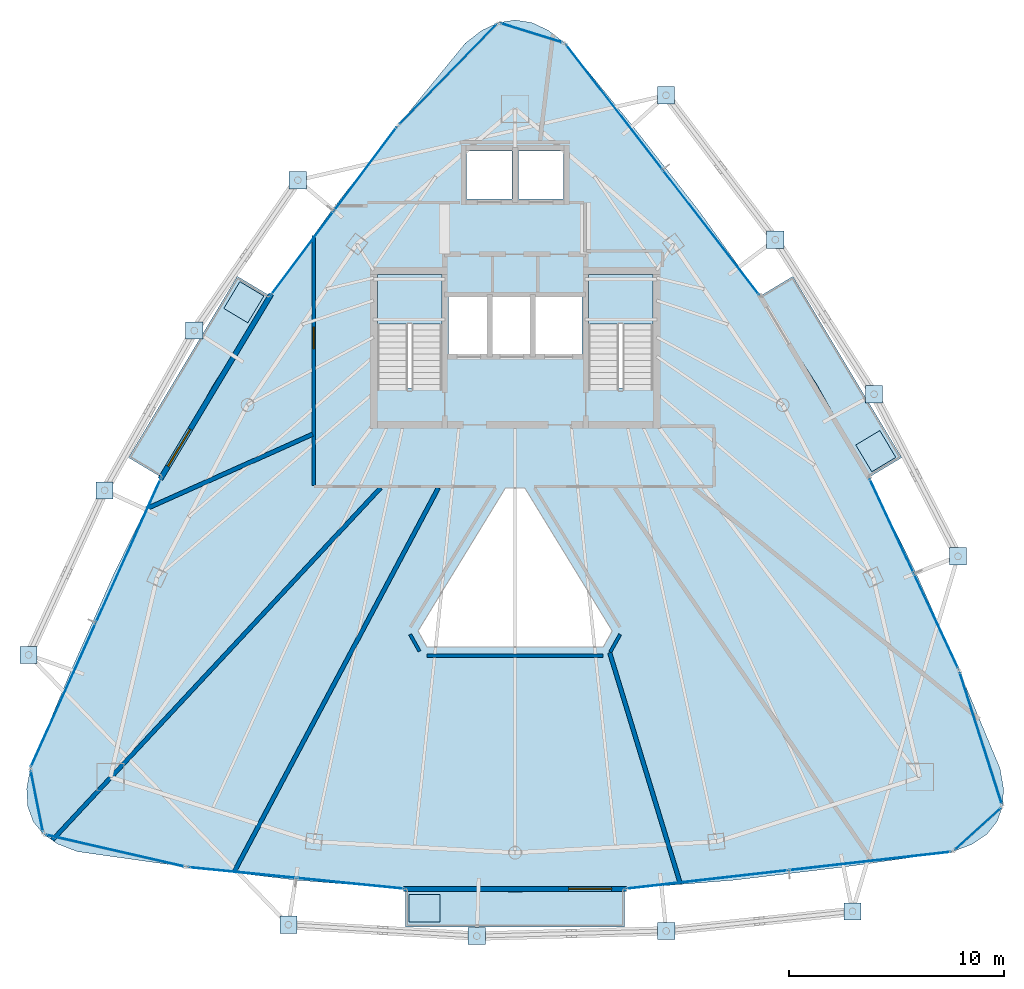
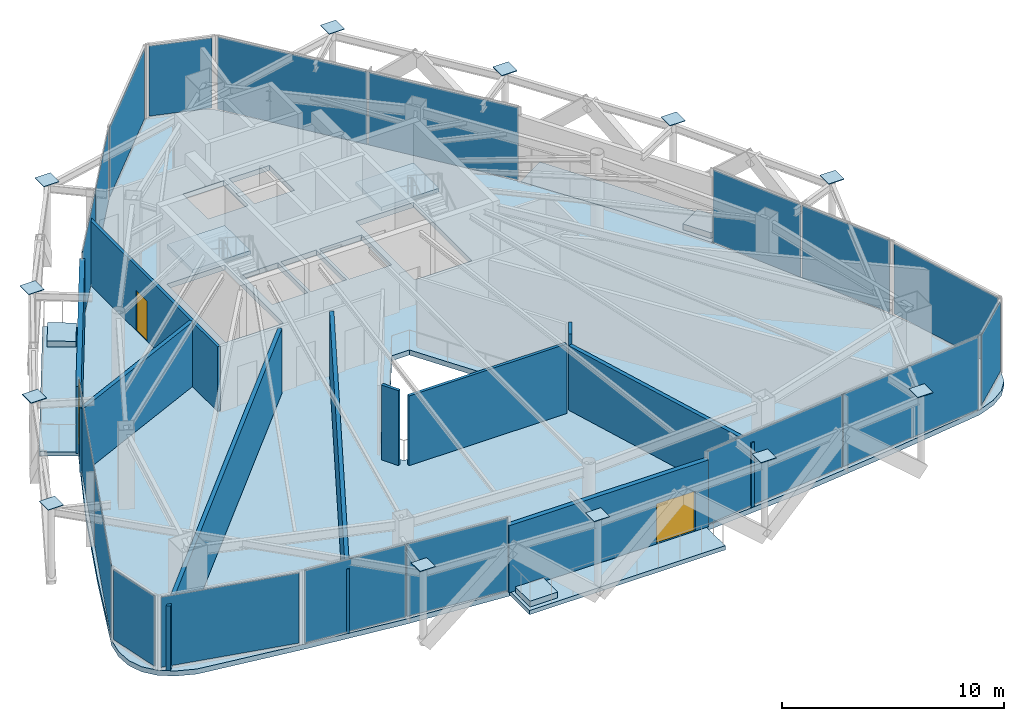
# One storey, part 20 of 25: 30 plates, 10 walls, 9 slabs, 3 doors, 3 openings, 14 elements without a shape of their own.
"""IFC4 building model written with IfcOpenShell, lengths in metres."""

from ifc_helpers import new_model, si_unit, direction, frame, frame_2d, origin, origin_2d, place, context, subcontext, project, spatial, polyline, rectangle, outline, extrude, material, layer, layer_set, type_object, element, fill, aggregate, save


model = new_model("IFC4")

# Units and contexts
model_context = context("Model", 3, precision=1e-05, world=origin(), true_north=direction((0.0, 1.0)))
body_context = subcontext(model_context, "Body", "Model", "MODEL_VIEW")
ifc_project = project(units=[si_unit("LENGTHUNIT", "METRE"), si_unit("AREAUNIT", "SQUARE_METRE"), si_unit("VOLUMEUNIT", "CUBIC_METRE"), si_unit("PLANEANGLEUNIT", "RADIAN"), si_unit("MASSUNIT", "GRAM", prefix="KILO")], contexts=[model_context])

# Site, building, storey
site_placement = place(None, origin())
site = spatial("IfcSite", under=ifc_project, at=site_placement, CompositionType="ELEMENT")
building_placement = place(site_placement, origin())
building = spatial("IfcBuilding", under=site, at=building_placement, Name="Orvanel Arch Residences", CompositionType="ELEMENT")
storey_placement = place(building_placement, frame((0.0, 0.0, 236.0)))
storey = spatial("IfcBuildingStorey", under=building, at=storey_placement, Name="L67", CompositionType="ELEMENT", Elevation=236.0)

# Plates
ifc_material_1 = material(Name="Structural steel AS/NZS 3678 Grade 350", Category="steel")
ifc_layer_1 = layer(ifc_material_1, 0.031982421875)
ifc_layer_set_1 = layer_set([ifc_layer_1], Name="Structural steel AS/NZS 3678 Grade 350")
plate_type_1 = type_object("IfcPlateType", Name="PL-CAP-32", PredefinedType="SHEET", material=ifc_layer_set_1)
for number, where, z_axis, x_axis, name in (
    (1, (22.906982421875, 38.0859375, 4.333984375), (0.0, 0.0, 1.0), (1.0, 0.0, 0.0), "L67 hollow member end cap plate"),
    (2, (18.09912109375, 31.09912109375, 4.333984375), (0.0, 0.0, 1.0), (1.0, 0.0, 0.0), "L67 hollow member end cap plate"),
    (3, (13.927978515625, 23.675048828125, 4.333984375), (0.0, 0.0, 1.0), (1.0, 0.0, 0.0), "L67 hollow member end cap plate"),
    (4, (10.39990234375, 16.032958984375, 4.333984375), (0.0, 0.0, 1.0), (1.0, 0.0, 0.0), "L67 hollow member end cap plate"),
    (5, (22.469970703125, 3.498046875, 4.333984375), (0.0, 0.0, 1.0), (1.0, 0.0, 0.0), "L67 hollow member end cap plate"),
    (6, (31.219970703125, 2.969970703125, 4.333984375), (0.0, 0.0, 1.0), (1.0, 0.0, 0.0), "L67 hollow member end cap plate"),
    (7, (40.014892578125, 3.2109375, 4.333984375), (0.0, 0.0, 1.0), (1.0, 0.0, 0.0), "L67 hollow member end cap plate"),
    (8, (48.6708984375, 4.115966796875, 4.333984375), (0.0, 0.0, 1.0), (1.0, 0.0, 0.0), "L67 hollow member end cap plate"),
    (9, (53.573974609375, 20.612060546875, 4.333984375), (0.0, 0.0, 1.0), (1.0, 0.0, 0.0), "L67 hollow member end cap plate"),
    (10, (49.674072265625, 28.14404296875, 4.333984375), (0.0, 0.0, 1.0), (1.0, 0.0, 0.0), "L67 hollow member end cap plate"),
    (11, (45.0869140625, 35.319091796875, 4.333984375), (0.0, 0.0, 1.0), (1.0, 0.0, 0.0), "L67 hollow member end cap plate"),
    (12, (40.007080078125, 42.029052734375, 4.333984375), (0.0, 0.0, 1.0), (1.0, 0.0, 0.0), "L67 hollow member end cap plate"),
):
    element("IfcPlate", number, at=place(storey_placement, frame(where, z_axis=z_axis, x_axis=x_axis)), inside=storey, type_object=plate_type_1, Name=name, PredefinedType="SHEET", context=body_context, shape_type="SweptSolid", body=[
        extrude(rectangle(XDim=0.800048828125, YDim=0.800048828125, at=origin_2d()), origin(), (0.0, 0.0, 1.0), 0.031982421875),
    ])

# Curtain wall, plate
ifc_material_2 = material(Name="Bronze-anodised aluminium AA6063-T6", Category="aluminium")
ifc_layer_2 = layer(ifc_material_2, 0.18994140625)
ifc_layer_set_2 = layer_set([ifc_layer_2], Name="Bronze-anodised aluminium AA6063-T6")
curtain_wall_type_1 = type_object("IfcCurtainWallType", Name="CW5-CRN-SYS", PredefinedType="NOTDEFINED", material=ifc_layer_set_2)
curtain_wall_1_placement = place(storey_placement, origin())
curtain_wall_1 = element("IfcCurtainWall", 13, at=curtain_wall_1_placement, inside=storey, type_object=curtain_wall_type_1, Name="L67 CW5-CRN-SYS Unitised Curtain Wall", PredefinedType="NOTDEFINED")
ifc_material_3 = material(Name="Double-glazed solar-control low-E safety glass", Category="glass")
ifc_layer_3 = layer(ifc_material_3, 0.031982421875)
ifc_layer_set_3 = layer_set([ifc_layer_3], Name="Double-glazed solar-control low-E safety glass")
plate_type_2 = type_object("IfcPlateType", Name="PNL-GLZ-32", PredefinedType="CURTAIN_PANEL", material=ifc_layer_set_3)
plate_1_placement = place(storey_placement, frame((33.7734375, 44.924560546875, 0.1298828125), z_axis=(0.0, 0.0, 1.0), x_axis=(-0.954862682861, 0.297047566696, 0.0)))
plate_1 = element("IfcPlate", 14, at=plate_1_placement, type_object=plate_type_2, Name="CW-S5 panel 1.1", PredefinedType="CURTAIN_PANEL", context=body_context, shape_type="SweptSolid", body=[
    extrude(rectangle(XDim=2.901611328125, YDim=0.031982421875, at=origin_2d()), origin(), (0.0, 0.0, 1.0), 3.85009765625),
])
aggregate(curtain_wall_1, [plate_1])

curtain_wall_2_placement = place(storey_placement, origin())
curtain_wall_2 = element("IfcCurtainWall", 15, at=curtain_wall_2_placement, inside=storey, type_object=curtain_wall_type_1, Name="L67 CW5-CRN-SYS Unitised Curtain Wall", PredefinedType="NOTDEFINED")
plate_2_placement = place(storey_placement, frame((29.882568359375, 43.00390625, 0.1298828125), z_axis=(0.0, 0.0, 1.0), x_axis=(-0.698284519873, -0.715820319149, 0.0)))
plate_2 = element("IfcPlate", 16, at=plate_2_placement, type_object=plate_type_2, Name="CW-S5 panel 1.1", PredefinedType="CURTAIN_PANEL", context=body_context, shape_type="SweptSolid", body=[
    extrude(rectangle(XDim=6.3720703125, YDim=0.031982421875, at=origin_2d()), origin(), (0.0, 0.0, 1.0), 3.85009765625),
])
aggregate(curtain_wall_2, [plate_2])

curtain_wall_3_placement = place(storey_placement, origin())
curtain_wall_3 = element("IfcCurtainWall", 17, at=curtain_wall_3_placement, inside=storey, type_object=curtain_wall_type_1, Name="L67 CW5-CRN-SYS Unitised Curtain Wall", PredefinedType="NOTDEFINED")
plate_3_placement = place(storey_placement, frame((10.781494140625, 9.232421875, 0.1298828125), z_axis=(0.0, 0.0, 1.0), x_axis=(0.195741567514, -0.98065551482, 0.0)))
plate_3 = element("IfcPlate", 18, at=plate_3_placement, type_object=plate_type_2, Name="CW-S5 panel 1.1", PredefinedType="CURTAIN_PANEL", context=body_context, shape_type="SweptSolid", body=[
    extrude(rectangle(XDim=2.780517578125, YDim=0.031982421875, at=origin_2d()), origin(), (0.0, 0.0, 1.0), 3.85009765625),
])
aggregate(curtain_wall_3, [plate_3])

curtain_wall_4_placement = place(storey_placement, origin())
curtain_wall_4 = element("IfcCurtainWall", 19, at=curtain_wall_4_placement, inside=storey, type_object=curtain_wall_type_1, Name="L67 CW5-CRN-SYS Unitised Curtain Wall", PredefinedType="NOTDEFINED")
plate_4_placement = place(storey_placement, frame((14.4189453125, 6.939453125, 0.1298828125), z_axis=(0.0, 0.0, 1.0), x_axis=(0.97477900978, -0.223172314797, 0.0)))
plate_4 = element("IfcPlate", 20, at=plate_4_placement, type_object=plate_type_2, Name="CW-S5 panel 1.1", PredefinedType="CURTAIN_PANEL", context=body_context, shape_type="SweptSolid", body=[
    extrude(rectangle(XDim=6.49755859375, YDim=0.031982421875, at=origin_2d()), origin(), (0.0, 0.0, 1.0), 3.85009765625),
])
aggregate(curtain_wall_4, [plate_4])

curtain_wall_5_placement = place(storey_placement, origin())
curtain_wall_5 = element("IfcCurtainWall", 21, at=curtain_wall_5_placement, inside=storey, type_object=curtain_wall_type_1, Name="L67 CW5-CRN-SYS Unitised Curtain Wall", PredefinedType="NOTDEFINED")
plate_5_placement = place(storey_placement, frame((54.488525390625, 7.943115234375, 0.1298828125), z_axis=(0.0, 0.0, 1.0), x_axis=(0.740204322001, 0.672382005775, 0.0)))
plate_5 = element("IfcPlate", 22, at=plate_5_placement, type_object=plate_type_2, Name="CW-S5 panel 1.1", PredefinedType="CURTAIN_PANEL", context=body_context, shape_type="SweptSolid", body=[
    extrude(rectangle(XDim=2.781494140625, YDim=0.031982421875, at=origin_2d()), origin(), (0.0, 0.0, 1.0), 3.85009765625),
])
aggregate(curtain_wall_5, [plate_5])

curtain_wall_6_placement = place(storey_placement, origin())
curtain_wall_6 = element("IfcCurtainWall", 23, at=curtain_wall_6_placement, inside=storey, type_object=curtain_wall_type_1, Name="L67 CW5-CRN-SYS Unitised Curtain Wall", PredefinedType="NOTDEFINED")
plate_6_placement = place(storey_placement, frame((54.62841796875, 12.1669921875, 0.1298828125), z_axis=(0.0, 0.0, 1.0), x_axis=(-0.304660745422, 0.952460933687, 0.0)))
plate_6 = element("IfcPlate", 24, at=plate_6_placement, type_object=plate_type_2, Name="CW-S5 panel 1.1", PredefinedType="CURTAIN_PANEL", context=body_context, shape_type="SweptSolid", body=[
    extrude(rectangle(XDim=6.3271484375, YDim=0.031982421875, at=origin_2d()), origin(), (0.0, 0.0, 1.0), 3.85009765625),
])
aggregate(curtain_wall_6, [plate_6])

# Curtain wall, plates
ifc_layer_4 = layer(ifc_material_2, 0.195068359375)
ifc_layer_set_4 = layer_set([ifc_layer_4], Name="Bronze-anodised aluminium AA6063-T6")
curtain_wall_type_2 = type_object("IfcCurtainWallType", Name="CW6-COM-SYS", PredefinedType="NOTDEFINED", material=ifc_layer_set_4)
curtain_wall_7_placement = place(storey_placement, origin())
curtain_wall_7 = element("IfcCurtainWall", 25, at=curtain_wall_7_placement, inside=storey, type_object=curtain_wall_type_2, Name="L67 CW6-COM-SYS Unitised Curtain Wall", PredefinedType="NOTDEFINED")
plate_7_placement = place(storey_placement, frame((26.041748046875, 38.604248046875, 0.06494140625), z_axis=(0.0, 0.0, 1.0), x_axis=(-0.599723293947, -0.800207454787, 0.0)))
plate_7 = element("IfcPlate", 26, at=plate_7_placement, type_object=plate_type_2, Name="CW-S6 panel 1.1", PredefinedType="CURTAIN_PANEL", context=body_context, shape_type="SweptSolid", body=[
    extrude(rectangle(XDim=4.802978515625, YDim=0.031982421875, at=origin_2d()), origin(), (0.0, 0.0, 1.0), 3.97998046875),
])
plate_8_placement = place(storey_placement, frame((23.1162109375, 34.70068359375, 0.06494140625), z_axis=(0.0, 0.0, 1.0), x_axis=(-0.599723293947, -0.800207454787, 0.0)))
plate_8 = element("IfcPlate", 27, at=plate_8_placement, type_object=plate_type_2, Name="CW-S6 panel 2.1", PredefinedType="CURTAIN_PANEL", context=body_context, shape_type="SweptSolid", body=[
    extrude(rectangle(XDim=4.802978515625, YDim=0.031982421875, at=origin_2d()), origin(), (0.0, 0.0, 1.0), 3.97998046875),
])
aggregate(curtain_wall_7, [plate_7, plate_8])

curtain_wall_8_placement = place(storey_placement, origin())
curtain_wall_8 = element("IfcCurtainWall", 28, at=curtain_wall_8_placement, inside=storey, type_object=curtain_wall_type_2, Name="L67 CW6-COM-SYS Unitised Curtain Wall", PredefinedType="NOTDEFINED")
plate_9_placement = place(storey_placement, frame((15.033935546875, 20.876953125, 0.06494140625), z_axis=(0.0, 0.0, 1.0), x_axis=(-0.410881897052, -0.911688579875, 0.0)))
plate_9 = element("IfcPlate", 29, at=plate_9_placement, type_object=plate_type_2, Name="CW-S6 panel 1.1", PredefinedType="CURTAIN_PANEL", context=body_context, shape_type="SweptSolid", body=[
    extrude(rectangle(XDim=7.282470703125, YDim=0.031982421875, at=origin_2d()), origin(), (0.0, 0.0, 1.0), 3.97998046875),
])
plate_10_placement = place(storey_placement, frame((12.010986328125, 14.169189453125, 0.06494140625), z_axis=(0.0, 0.0, 1.0), x_axis=(-0.410881897052, -0.911688579875, 0.0)))
plate_10 = element("IfcPlate", 30, at=plate_10_placement, type_object=plate_type_2, Name="CW-S6 panel 2.1", PredefinedType="CURTAIN_PANEL", context=body_context, shape_type="SweptSolid", body=[
    extrude(rectangle(XDim=7.282470703125, YDim=0.031982421875, at=origin_2d()), origin(), (0.0, 0.0, 1.0), 3.97998046875),
])
aggregate(curtain_wall_8, [plate_9, plate_10])

curtain_wall_9_placement = place(storey_placement, origin())
curtain_wall_9 = element("IfcCurtainWall", 31, at=curtain_wall_9_placement, inside=storey, type_object=curtain_wall_type_2, Name="L67 CW6-COM-SYS Unitised Curtain Wall", PredefinedType="NOTDEFINED")
plate_11_placement = place(storey_placement, frame((20.321044921875, 5.9208984375, 0.06494140625), z_axis=(0.0, 0.0, 1.0), x_axis=(0.995072155144, -0.099153447023, 0.0)))
plate_11 = element("IfcPlate", 32, at=plate_11_placement, type_object=plate_type_2, Name="CW-S6 panel 1.1", PredefinedType="CURTAIN_PANEL", context=body_context, shape_type="SweptSolid", body=[
    extrude(rectangle(XDim=4.9755859375, YDim=0.031982421875, at=origin_2d()), origin(), (0.0, 0.0, 1.0), 3.97998046875),
])
plate_12_placement = place(storey_placement, frame((25.346923828125, 5.420166015625, 0.06494140625), z_axis=(0.0, 0.0, 1.0), x_axis=(0.995072155144, -0.099153447023, 0.0)))
plate_12 = element("IfcPlate", 33, at=plate_12_placement, type_object=plate_type_2, Name="CW-S6 panel 2.1", PredefinedType="CURTAIN_PANEL", context=body_context, shape_type="SweptSolid", body=[
    extrude(rectangle(XDim=4.9755859375, YDim=0.031982421875, at=origin_2d()), origin(), (0.0, 0.0, 1.0), 3.97998046875),
])
aggregate(curtain_wall_9, [plate_11, plate_12])

curtain_wall_10_placement = place(storey_placement, origin())
curtain_wall_10 = element("IfcCurtainWall", 34, at=curtain_wall_10_placement, inside=storey, type_object=curtain_wall_type_2, Name="L67 CW6-COM-SYS Unitised Curtain Wall", PredefinedType="NOTDEFINED")
plate_13_placement = place(storey_placement, frame((41.924072265625, 5.599609375, 0.06494140625), z_axis=(0.0, 0.0, 1.0), x_axis=(0.993622898574, 0.112754314463, 0.0)))
plate_13 = element("IfcPlate", 35, at=plate_13_placement, type_object=plate_type_2, Name="CW-S6 panel 1.1", PredefinedType="CURTAIN_PANEL", context=body_context, shape_type="SweptSolid", body=[
    extrude(rectangle(XDim=7.541259765625, YDim=0.031982421875, at=origin_2d()), origin(), (0.0, 0.0, 1.0), 3.97998046875),
])
plate_14_placement = place(storey_placement, frame((49.491943359375, 6.45849609375, 0.06494140625), z_axis=(0.0, 0.0, 1.0), x_axis=(0.993622898574, 0.112754314463, 0.0)))
plate_14 = element("IfcPlate", 36, at=plate_14_placement, type_object=plate_type_2, Name="CW-S6 panel 2.1", PredefinedType="CURTAIN_PANEL", context=body_context, shape_type="SweptSolid", body=[
    extrude(rectangle(XDim=7.541259765625, YDim=0.031982421875, at=origin_2d()), origin(), (0.0, 0.0, 1.0), 3.97998046875),
])
aggregate(curtain_wall_10, [plate_13, plate_14])

curtain_wall_11_placement = place(storey_placement, origin())
curtain_wall_11 = element("IfcCurtainWall", 37, at=curtain_wall_11_placement, inside=storey, type_object=curtain_wall_type_2, Name="L67 CW6-COM-SYS Unitised Curtain Wall", PredefinedType="NOTDEFINED")
plate_15_placement = place(storey_placement, frame((52.5556640625, 17.603271484375, 0.06494140625), z_axis=(0.0, 0.0, 1.0), x_axis=(-0.423748373633, 0.905779948908, 0.0)))
plate_15 = element("IfcPlate", 38, at=plate_15_placement, type_object=plate_type_2, Name="CW-S6 panel 1.1", PredefinedType="CURTAIN_PANEL", context=body_context, shape_type="SweptSolid", body=[
    extrude(rectangle(XDim=4.80322265625, YDim=0.031982421875, at=origin_2d()), origin(), (0.0, 0.0, 1.0), 3.97998046875),
])
plate_16_placement = place(storey_placement, frame((50.488525390625, 22.021728515625, 0.06494140625), z_axis=(0.0, 0.0, 1.0), x_axis=(-0.423748373633, 0.905779948908, 0.0)))
plate_16 = element("IfcPlate", 39, at=plate_16_placement, type_object=plate_type_2, Name="CW-S6 panel 2.1", PredefinedType="CURTAIN_PANEL", context=body_context, shape_type="SweptSolid", body=[
    extrude(rectangle(XDim=4.80322265625, YDim=0.031982421875, at=origin_2d()), origin(), (0.0, 0.0, 1.0), 3.97998046875),
])
aggregate(curtain_wall_11, [plate_15, plate_16])

curtain_wall_12_placement = place(storey_placement, origin())
curtain_wall_12 = element("IfcCurtainWall", 40, at=curtain_wall_12_placement, inside=storey, type_object=curtain_wall_type_2, Name="L67 CW6-COM-SYS Unitised Curtain Wall", PredefinedType="NOTDEFINED")
plate_17_placement = place(storey_placement, frame((42.0986328125, 35.660888671875, 0.06494140625), z_axis=(0.0, 0.0, 1.0), x_axis=(-0.610977842981, 0.791647696508, 0.0)))
plate_17 = element("IfcPlate", 41, at=plate_17_placement, type_object=plate_type_2, Name="CW-S6 panel 1.1", PredefinedType="CURTAIN_PANEL", context=body_context, shape_type="SweptSolid", body=[
    extrude(rectangle(XDim=7.2822265625, YDim=0.031982421875, at=origin_2d()), origin(), (0.0, 0.0, 1.0), 3.97998046875),
])
plate_18_placement = place(storey_placement, frame((37.603515625, 41.485107421875, 0.06494140625), z_axis=(0.0, 0.0, 1.0), x_axis=(-0.610977842981, 0.791647696508, 0.0)))
plate_18 = element("IfcPlate", 42, at=plate_18_placement, type_object=plate_type_2, Name="CW-S6 panel 2.1", PredefinedType="CURTAIN_PANEL", context=body_context, shape_type="SweptSolid", body=[
    extrude(rectangle(XDim=7.2822265625, YDim=0.031982421875, at=origin_2d()), origin(), (0.0, 0.0, 1.0), 3.97998046875),
])
aggregate(curtain_wall_12, [plate_17, plate_18])

# Slabs
ifc_material_4 = material(Name="Concrete N40 (40 MPa)", Category="concrete")
ifc_layer_5 = layer(ifc_material_4, 0.22998046875)
ifc_layer_set_5 = layer_set([ifc_layer_5], Name="Concrete N40 (40 MPa)")
slab_type_1 = type_object("IfcSlabType", Name="SLB-BAL-230", PredefinedType="FLOOR", material=ifc_layer_set_5)
slab_1_placement = place(storey_placement, frame((0.0, 0.0, -0.22998046875)))
element("IfcSlab", 43, at=slab_1_placement, inside=storey, type_object=slab_type_1, Name="L67 Cantilevered Balcony Slab Face 1", PredefinedType="FLOOR", context=body_context, shape_type="SweptSolid", body=[
    extrude(outline(polyline([(20.093017578125, 33.618896484375), (15.0419921875, 25.198974609375), (16.569091796875, 24.282958984375), (18.971923828125, 28.56689453125), (21.618896484375, 32.702880859375), (20.093017578125, 33.618896484375)])), origin(), (0.0, 0.0, 1.0), 0.22998046875),
])
slab_2_placement = place(storey_placement, frame((0.0, 0.0, -0.22998046875)))
element("IfcSlab", 44, at=slab_2_placement, inside=storey, type_object=slab_type_1, Name="L67 Cantilevered Balcony Slab Face 2", PredefinedType="FLOOR", context=body_context, shape_type="SweptSolid", body=[
    extrude(outline(polyline([(27.9169921875, 3.384033203125), (38.0830078125, 3.384033203125), (38.0830078125, 5.1640625), (33.0, 5.02099609375), (27.9169921875, 5.1640625), (27.9169921875, 3.384033203125)])), origin(), (0.0, 0.0, 1.0), 0.22998046875),
])
slab_3_placement = place(storey_placement, frame((0.0, 0.0, -0.22998046875)))
element("IfcSlab", 45, at=slab_3_placement, inside=storey, type_object=slab_type_1, Name="L67 Cantilevered Balcony Slab Face 3", PredefinedType="FLOOR", context=body_context, shape_type="SweptSolid", body=[
    extrude(outline(polyline([(50.9580078125, 25.198974609375), (45.906982421875, 33.618896484375), (44.381103515625, 32.702880859375), (47.028076171875, 28.56689453125), (49.430908203125, 24.282958984375), (50.9580078125, 25.198974609375)])), origin(), (0.0, 0.0, 1.0), 0.22998046875),
])

# Stair, slab
ifc_material_5 = material(Name="Precast concrete N50 (50 MPa)", Category="concrete")
stair_type = type_object("IfcStairType", Name="STR-DOG-181", PredefinedType="USERDEFINED", material=ifc_material_5)
stair_1_placement = place(storey_placement, origin())
stair_1 = element("IfcStair", 46, at=stair_1_placement, inside=storey, type_object=stair_type, Name="L67 Fire-Isolated Core Exit Stair 1", ObjectType="TWO_RETURN_STAIR", PredefinedType="USERDEFINED")
ifc_layer_6 = layer(ifc_material_4, 0.199951171875)
ifc_layer_set_6 = layer_set([ifc_layer_6], Name="Concrete N40 (40 MPa)")
slab_type_2 = type_object("IfcSlabType", Name="SLB-LND-200", PredefinedType="LANDING", material=ifc_layer_set_6)
slab_4_placement = place(storey_placement, frame((0.0, 0.0, 1.97509765625)))
slab_4 = element("IfcSlab", 47, at=slab_4_placement, type_object=slab_type_2, Name="ST-1 landing 1", PredefinedType="LANDING", context=body_context, shape_type="SweptSolid", body=[
    extrude(outline(polyline([(29.60009765625, 31.39990234375), (29.60009765625, 33.699951171875), (26.60009765625, 33.699951171875), (26.60009765625, 31.39990234375), (29.60009765625, 31.39990234375)])), origin(), (0.0, 0.0, 1.0), 0.199951171875),
])
aggregate(stair_1, [slab_4])

stair_2_placement = place(storey_placement, origin())
stair_2 = element("IfcStair", 48, at=stair_2_placement, inside=storey, type_object=stair_type, Name="L67 Fire-Isolated Core Exit Stair 2", ObjectType="TWO_RETURN_STAIR", PredefinedType="USERDEFINED")
slab_5_placement = place(storey_placement, frame((0.0, 0.0, 1.97509765625)))
slab_5 = element("IfcSlab", 49, at=slab_5_placement, type_object=slab_type_2, Name="ST-2 landing 1", PredefinedType="LANDING", context=body_context, shape_type="SweptSolid", body=[
    extrude(outline(polyline([(39.39990234375, 31.39990234375), (39.39990234375, 33.699951171875), (36.39990234375, 33.699951171875), (36.39990234375, 31.39990234375), (39.39990234375, 31.39990234375)])), origin(), (0.0, 0.0, 1.0), 0.199951171875),
])
aggregate(stair_2, [slab_5])

# Slabs
ifc_material_6 = material(Name="Structural architectural precast concrete N40 (40 MPa) planter", Category="concrete")
ifc_layer_7 = layer(ifc_material_6, 0.320068359375)
ifc_layer_set_7 = layer_set([ifc_layer_7], Name="Structural architectural precast concrete N40 (40 MPa) planter")
slab_type_3 = type_object("IfcSlabType", Name="SLB-PLN-320", PredefinedType="USERDEFINED", material=ifc_layer_set_7)
slab_6_placement = place(storey_placement, origin())
element("IfcSlab", 50, at=slab_6_placement, inside=storey, type_object=slab_type_3, Name="L67 Balcony TREE PLANTER Face 1", ObjectType="PLANTER", PredefinedType="USERDEFINED", context=body_context, shape_type="SweptSolid", body=[
    extrude(outline(polyline([(20.212890625, 33.3720703125), (19.467041015625, 32.1279296875), (20.58203125, 31.4599609375), (21.327880859375, 32.702880859375), (20.212890625, 33.3720703125)])), origin(), (0.0, 0.0, 1.0), 0.320068359375),
])
slab_7_placement = place(storey_placement, origin())
element("IfcSlab", 51, at=slab_7_placement, inside=storey, type_object=slab_type_3, Name="L67 Balcony TREE PLANTER Face 2", ObjectType="PLANTER", PredefinedType="USERDEFINED", context=body_context, shape_type="SweptSolid", body=[
    extrude(outline(polyline([(28.06689453125, 3.614013671875), (29.51708984375, 3.614013671875), (29.51708984375, 4.9140625), (28.06689453125, 4.9140625), (28.06689453125, 3.614013671875)])), origin(), (0.0, 0.0, 1.0), 0.320068359375),
])
slab_8_placement = place(storey_placement, origin())
element("IfcSlab", 52, at=slab_8_placement, inside=storey, type_object=slab_type_3, Name="L67 Balcony TREE PLANTER Face 3", ObjectType="PLANTER", PredefinedType="USERDEFINED", context=body_context, shape_type="SweptSolid", body=[
    extrude(outline(polyline([(50.68408203125, 25.208984375), (49.93798828125, 26.452880859375), (48.822998046875, 25.783935546875), (49.569091796875, 24.5400390625), (50.68408203125, 25.208984375)])), origin(), (0.0, 0.0, 1.0), 0.320068359375),
])
ifc_layer_8 = layer(ifc_material_4, 0.280029296875)
ifc_layer_set_8 = layer_set([ifc_layer_8], Name="Concrete N40 (40 MPa)")
slab_type_4 = type_object("IfcSlabType", Name="SLB-POD-280", PredefinedType="FLOOR", material=ifc_layer_set_8)
slab_9_placement = place(storey_placement, frame((0.0, 0.0, -0.280029296875)))
element("IfcSlab", 53, at=slab_9_placement, inside=storey, type_object=slab_type_4, Name="L67 Tower Floor Slab", PredefinedType="FLOOR", context=body_context, shape_type="SweptSolid", body=[
    extrude(outline(polyline([(35.321044921875, 44.443115234375), (34.547119140625, 45.044921875), (33.77392578125, 45.406005859375), (33.0, 45.52587890625), (32.22607421875, 45.406005859375), (31.452880859375, 45.044921875), (30.678955078125, 44.443115234375), (27.5390625, 40.60205078125), (24.492919921875, 36.7041015625), (21.618896484375, 32.702880859375), (18.971923828125, 28.56689453125), (16.569091796875, 24.282958984375), (14.39111328125, 19.864013671875), (12.386962890625, 15.342041015625), (10.47607421875, 10.762939453125), (10.31005859375, 9.81689453125), (10.35595703125, 8.991943359375), (10.614990234375, 8.287109375), (11.0869140625, 7.701904296875), (11.77099609375, 7.238037109375), (12.66796875, 6.89404296875), (17.7509765625, 6.177001953125), (22.833984375, 5.569091796875), (27.9169921875, 5.1640625), (33.0, 5.02099609375), (38.0830078125, 5.1640625), (43.166015625, 5.569091796875), (48.2490234375, 6.177001953125), (53.3330078125, 6.89404296875), (54.22900390625, 7.238037109375), (54.9130859375, 7.701904296875), (55.385009765625, 8.287109375), (55.64404296875, 8.991943359375), (55.68994140625, 9.81689453125), (55.52392578125, 10.762939453125), (53.613037109375, 15.342041015625), (51.60888671875, 19.864013671875), (49.430908203125, 24.282958984375), (47.028076171875, 28.56689453125), (44.381103515625, 32.702880859375), (41.507080078125, 36.7041015625), (38.4609375, 40.60205078125), (35.321044921875, 44.443115234375)]), holes=[polyline([(26.60009765625, 28.429931640625), (26.60009765625, 33.699951171875), (29.60009765625, 33.699951171875), (29.60009765625, 28.429931640625), (26.60009765625, 28.429931640625)]), polyline([(36.39990234375, 28.429931640625), (36.39990234375, 33.699951171875), (39.39990234375, 33.699951171875), (39.39990234375, 28.429931640625), (36.39990234375, 28.429931640625)]), polyline([(29.89990234375, 32.64990234375), (31.75, 32.64990234375), (31.75, 29.949951171875), (29.89990234375, 29.949951171875), (29.89990234375, 32.64990234375)]), polyline([(31.89990234375, 32.64990234375), (33.75, 32.64990234375), (33.75, 29.949951171875), (31.89990234375, 29.949951171875), (31.89990234375, 32.64990234375)]), polyline([(33.89990234375, 32.64990234375), (36.10009765625, 32.64990234375), (36.10009765625, 29.949951171875), (33.89990234375, 29.949951171875), (33.89990234375, 32.64990234375)]), polyline([(30.75, 39.449951171875), (32.85009765625, 39.449951171875), (32.85009765625, 37.199951171875), (30.75, 37.199951171875), (30.75, 39.449951171875)]), polyline([(33.14990234375, 39.449951171875), (35.25, 39.449951171875), (35.25, 37.199951171875), (33.14990234375, 37.199951171875), (33.14990234375, 39.449951171875)]), polyline([(37.511962890625, 17.14501953125), (37.092041015625, 16.39697265625), (28.907958984375, 16.39697265625), (28.488037109375, 17.14501953125), (32.54296875, 23.777099609375), (33.45703125, 23.777099609375), (37.511962890625, 17.14501953125)])]), origin(), (0.0, 0.0, 1.0), 0.280029296875),
])

# Wall, opening, door
ifc_layer_9 = layer(ifc_material_5, 0.239990234375)
ifc_layer_set_9 = layer_set([ifc_layer_9], Name="Precast concrete N50 (50 MPa)")
wall_type_1 = type_object("IfcWallType", Name="EW-BAL-240", PredefinedType="SOLIDWALL", material=ifc_layer_set_9)
wall_1_placement = place(storey_placement, frame((21.6689453125, 32.787109375, 0.0), z_axis=(0.0, 0.0, 1.0), x_axis=(-0.514277033492, -0.857624120942, 0.0)))
wall_1 = element("IfcWall", 54, at=wall_1_placement, inside=storey, type_object=wall_type_1, Name="L67 Balcony Threshold Wall Face 1", PredefinedType="SOLIDWALL", context=body_context, shape_type="SweptSolid", body=[
    extrude(rectangle(XDim=10.013916015625, YDim=0.239990234375, at=frame_2d((5.0068359375, 0.0))), origin(), (0.0, 0.0, 1.0), 3.674072265625),
])
opening_1_placement = place(wall_1_placement, frame((7.31689453125, 0.0, 0.0)))
opening_1 = element("IfcOpeningElement", 55, at=opening_1_placement, cuts=wall_1, Name="Opening DT-200", PredefinedType="OPENING", context=body_context, shape_type="SweptSolid", body=[
    extrude(rectangle(XDim=2.0, YDim=2.199951171875, at=frame_2d((1.0, 1.10009765625))), frame((0.0, 0.1298828125, 0.0), z_axis=(0.0, -1.0, 0.0), x_axis=(1.0, 0.0, 0.0)), (0.0, 0.0, 1.0), 0.260009765625),
])
door_type_1 = type_object("IfcDoorType", Name="DR-TER-2000", OperationType="NOTDEFINED", PredefinedType="DOOR", material=ifc_material_2)
door_1_placement = place(opening_1_placement, origin())
door_1 = element("IfcDoor", 56, at=door_1_placement, inside=storey, type_object=door_type_1, Name="DR-L67-BAL-F1 L67 Planted Balcony Access Door Face 1", OperationType="SINGLE_SWING_RIGHT", OverallHeight=2.199951171875, OverallWidth=2.0, PredefinedType="DOOR", context=body_context, shape_type="SweptSolid", body=[
    extrude(rectangle(XDim=2.0, YDim=2.199951171875, at=frame_2d((1.0, 1.10009765625))), frame((0.0, 0.02490234375, 0.0), z_axis=(0.0, -1.0, 0.0), x_axis=(1.0, 0.0, 0.0)), (0.0, 0.0, 1.0), 0.050048828125),
])
fill(opening_1, door_1)

wall_2_placement = place(storey_placement, frame((27.819091796875, 5.1640625, 0.0), z_axis=(0.0, 0.0, 1.0), x_axis=(1.0, 0.0, 0.0)))
wall_2 = element("IfcWall", 57, at=wall_2_placement, inside=storey, type_object=wall_type_1, Name="L67 Balcony Threshold Wall Face 2", PredefinedType="SOLIDWALL", context=body_context, shape_type="SweptSolid", body=[
    extrude(rectangle(XDim=10.36181640625, YDim=0.239990234375, at=frame_2d((5.180908203125, 0.0))), origin(), (0.0, 0.0, 1.0), 3.674072265625),
])
opening_2_placement = place(wall_2_placement, frame((7.6640625, 0.0, 0.0)))
opening_2 = element("IfcOpeningElement", 58, at=opening_2_placement, cuts=wall_2, Name="Opening DT-200", PredefinedType="OPENING", context=body_context, shape_type="SweptSolid", body=[
    extrude(rectangle(XDim=2.0, YDim=2.199951171875, at=frame_2d((1.0, 1.10009765625))), frame((0.0, 0.1298828125, 0.0), z_axis=(0.0, -1.0, 0.0), x_axis=(1.0, 0.0, 0.0)), (0.0, 0.0, 1.0), 0.260009765625),
])
door_2_placement = place(opening_2_placement, origin())
door_2 = element("IfcDoor", 59, at=door_2_placement, inside=storey, type_object=door_type_1, Name="DR-L67-BAL-F2 L67 Planted Balcony Access Door Face 2", OperationType="SINGLE_SWING_LEFT", OverallHeight=2.199951171875, OverallWidth=2.0, PredefinedType="DOOR", context=body_context, shape_type="SweptSolid", body=[
    extrude(rectangle(XDim=2.0, YDim=2.199951171875, at=frame_2d((1.0, 1.10009765625))), frame((0.0, 0.02490234375, 0.0), z_axis=(0.0, -1.0, 0.0), x_axis=(1.0, 0.0, 0.0)), (0.0, 0.0, 1.0), 0.050048828125),
])
fill(opening_2, door_2)

ifc_material_7 = material(Name="Fire-rated plasterboard lined steel stud partition", Category="steel")
ifc_layer_10 = layer(ifc_material_7, 0.14990234375)
ifc_layer_set_10 = layer_set([ifc_layer_10], Name="Fire-rated plasterboard lined steel stud partition")
wall_type_2 = type_object("IfcWallType", Name="W-COR-150", PredefinedType="PARTITIONING", material=ifc_layer_set_10)
wall_3_placement = place(storey_placement, frame((23.64990234375, 23.909912109375, 0.0), z_axis=(0.0, 0.0, 1.0), x_axis=(0.0, 1.0, 0.0)))
wall_3 = element("IfcWall", 60, at=wall_3_placement, inside=storey, type_object=wall_type_2, Name="L67 Community Corridor Wall", PredefinedType="PARTITIONING", context=body_context, shape_type="SweptSolid", body=[
    extrude(rectangle(XDim=11.612060546875, YDim=0.14990234375, at=frame_2d((5.80615234375, 0.0))), origin(), (0.0, 0.0, 1.0), 3.5419921875),
])
opening_3_placement = place(wall_3_placement, frame((6.344970703125, 0.0, 0.0)))
opening_3 = element("IfcOpeningElement", 61, at=opening_3_placement, cuts=wall_3, Name="Opening DP-100", PredefinedType="OPENING", context=body_context, shape_type="SweptSolid", body=[
    extrude(rectangle(XDim=1.0, YDim=2.199951171875, at=frame_2d((0.5, 1.10009765625))), frame((0.0, 0.0849609375, 0.0), z_axis=(0.0, -1.0, 0.0), x_axis=(1.0, 0.0, 0.0)), (0.0, 0.0, 1.0), 0.169921875),
])
ifc_material_8 = material(Name="Solid-core European oak veneer fire door leaf", Category="wood")
door_type_2 = type_object("IfcDoorType", Name="DR-POD-1000", OperationType="NOTDEFINED", PredefinedType="DOOR", material=ifc_material_8)
door_3_placement = place(opening_3_placement, origin())
door_3 = element("IfcDoor", 62, at=door_3_placement, inside=storey, type_object=door_type_2, Name="DR-L67-OFC-2 L67 Curator Work Office Door", OperationType="SINGLE_SWING_LEFT", OverallHeight=2.199951171875, OverallWidth=1.0, PredefinedType="DOOR", context=body_context, shape_type="SweptSolid", body=[
    extrude(rectangle(XDim=1.0, YDim=2.199951171875, at=frame_2d((0.5, 1.10009765625))), frame((0.0, 0.02490234375, 0.0), z_axis=(0.0, -1.0, 0.0), x_axis=(1.0, 0.0, 0.0)), (0.0, 0.0, 1.0), 0.050048828125),
])
fill(opening_3, door_3)

# Walls
wall_4_placement = place(storey_placement, frame((37.8779296875, 16.98388671875, 0.0), z_axis=(0.0, 0.0, 1.0), x_axis=(-0.488698758349, -0.872452591026, 0.0)))
element("IfcWall", 63, at=wall_4_placement, inside=storey, type_object=wall_type_2, Name="L67 Atrium Glazed Wall", PredefinedType="PARTITIONING", context=body_context, shape_type="SweptSolid", body=[
    extrude(rectangle(XDim=0.935302734375, YDim=0.14990234375, at=frame_2d((0.4677734375, 0.0))), origin(), (0.0, 0.0, 1.0), 4.110107421875),
])
wall_5_placement = place(storey_placement, frame((37.092041015625, 15.9970703125, 0.0), z_axis=(0.0, 0.0, 1.0), x_axis=(-1.0, 0.0, 0.0)))
element("IfcWall", 64, at=wall_5_placement, inside=storey, type_object=wall_type_2, Name="L67 Atrium Glazed Wall", PredefinedType="PARTITIONING", context=body_context, shape_type="SweptSolid", body=[
    extrude(rectangle(XDim=8.18408203125, YDim=0.14990234375, at=frame_2d((4.092041015625, 0.0))), origin(), (0.0, 0.0, 1.0), 3.822998046875),
])
wall_6_placement = place(storey_placement, frame((28.55908203125, 16.200927734375, 0.0), z_axis=(0.0, 0.0, 1.0), x_axis=(-0.487375815243, 0.873192312561, 0.0)))
element("IfcWall", 65, at=wall_6_placement, inside=storey, type_object=wall_type_2, Name="L67 Atrium Glazed Wall", PredefinedType="PARTITIONING", context=body_context, shape_type="SweptSolid", body=[
    extrude(rectangle(XDim=0.896728515625, YDim=0.14990234375, at=frame_2d((0.4482421875, 0.0))), origin(), (0.0, 0.0, 1.0), 4.110107421875),
])
ifc_layer_11 = layer(ifc_material_7, 0.199951171875)
ifc_layer_set_11 = layer_set([ifc_layer_11], Name="Fire-rated plasterboard lined steel stud partition")
wall_type_3 = type_object("IfcWallType", Name="W-DEM-200", PredefinedType="PARTITIONING", material=ifc_layer_set_11)
wall_7_placement = place(storey_placement, frame((37.39306640625, 16.133056640625, 0.0), z_axis=(0.0, 0.0, 1.0), x_axis=(0.292386315078, -0.956300289007, 0.0)))
element("IfcWall", 66, at=wall_7_placement, inside=storey, type_object=wall_type_3, Name="L67 Amenity Wall", PredefinedType="PARTITIONING", context=body_context, shape_type="SweptSolid", body=[
    extrude(rectangle(XDim=11.23828125, YDim=0.199951171875, at=frame_2d((5.619140625, 0.0))), origin(), (0.0, 0.0, 1.0), 3.5419921875),
])
wall_8_placement = place(storey_placement, frame((19.93505859375, 5.929931640625, 0.0), z_axis=(0.0, 0.0, 1.0), x_axis=(0.469488466722, 0.882938604669, 0.0)))
element("IfcWall", 67, at=wall_8_placement, inside=storey, type_object=wall_type_3, Name="L67 Amenity Wall", PredefinedType="PARTITIONING", context=body_context, shape_type="SweptSolid", body=[
    extrude(rectangle(XDim=20.22802734375, YDim=0.199951171875, at=frame_2d((10.114013671875, 0.0))), origin(), (0.0, 0.0, 1.0), 3.5419921875),
])
wall_9_placement = place(storey_placement, frame((26.748046875, 23.7900390625, 0.0), z_axis=(0.0, 0.0, 1.0), x_axis=(-0.681706734497, -0.731625538197, 0.0)))
element("IfcWall", 68, at=wall_9_placement, inside=storey, type_object=wall_type_3, Name="L67 Amenity Wall", PredefinedType="PARTITIONING", context=body_context, shape_type="SweptSolid", body=[
    extrude(rectangle(XDim=22.355712890625, YDim=0.199951171875, at=frame_2d((11.177734375, 0.0))), origin(), (0.0, 0.0, 1.0), 3.5419921875),
])
wall_10_placement = place(storey_placement, frame((15.85498046875, 22.81396484375, 0.0), z_axis=(0.0, 0.0, 1.0), x_axis=(0.912484856753, 0.409110481652, 0.0)))
element("IfcWall", 69, at=wall_10_placement, inside=storey, type_object=wall_type_3, Name="L67 Amenity Wall", PredefinedType="PARTITIONING", context=body_context, shape_type="SweptSolid", body=[
    extrude(rectangle(XDim=8.47705078125, YDim=0.199951171875, at=frame_2d((4.238525390625, 0.0))), origin(), (0.0, 0.0, 1.0), 3.5419921875),
])

save(model, "model.ifc")
